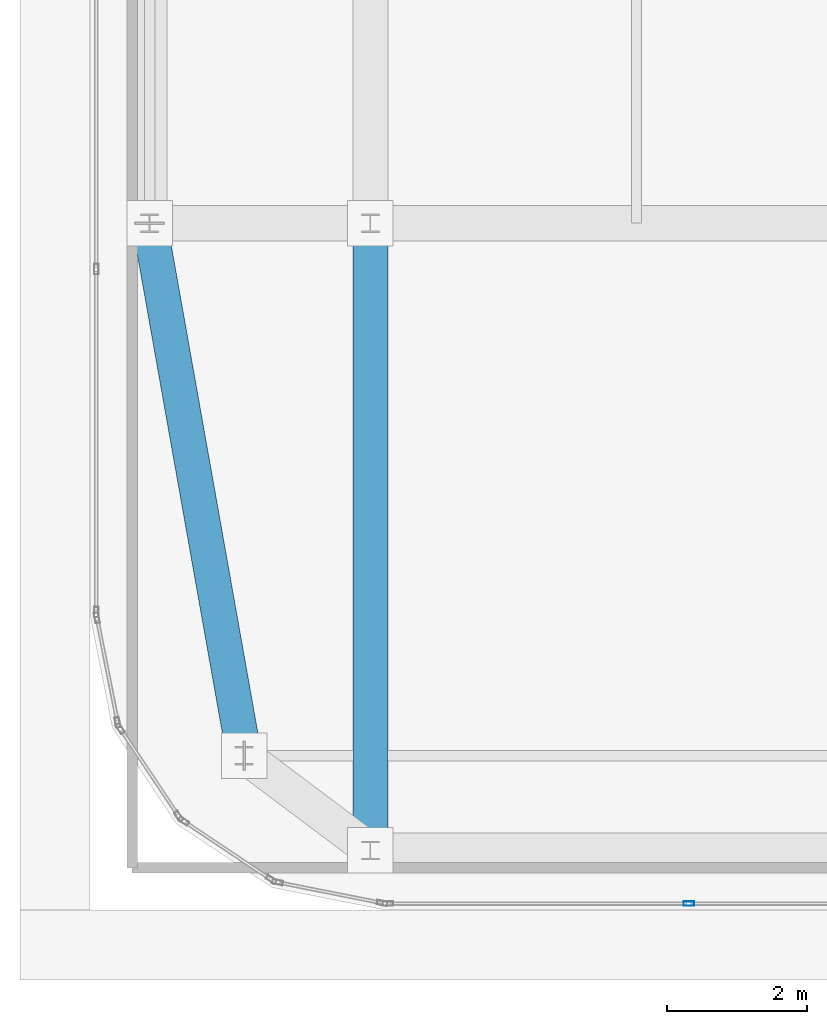
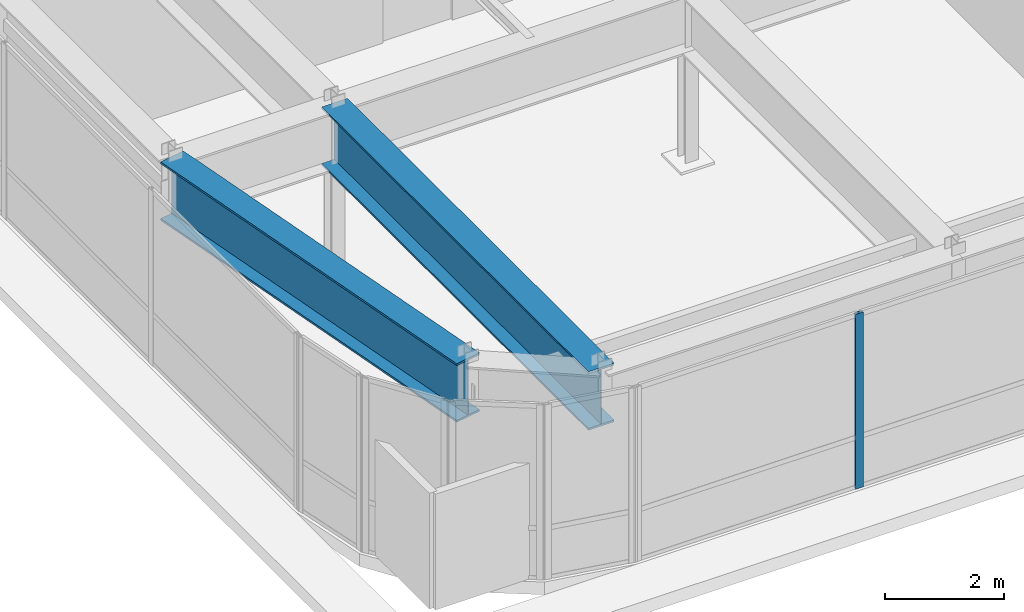
# One storey, part 6 of 35: 2 beams, 1 member, 1 element without a shape of its own.
"""IFC4 building model written with IfcOpenShell, lengths in metres."""

from ifc_helpers import new_model, si_unit, direction, frame, origin, origin_2d, place, context, subcontext, project, spatial, hollow_rectangle, i_section, extrude, source, transform, mapped, material, layer, layer_set, material_profile, profile_set, type_object, type_shapes, element, aggregate, save


model = new_model("IFC4")

# Units and contexts
model_context = context("Model", 3, precision=1e-05, world=origin(), true_north=direction((0.0, 1.0)))
body_context = subcontext(model_context, "Body", "Model", "MODEL_VIEW")
ifc_project = project(units=[si_unit("LENGTHUNIT", "METRE"), si_unit("AREAUNIT", "SQUARE_METRE"), si_unit("VOLUMEUNIT", "CUBIC_METRE"), si_unit("PLANEANGLEUNIT", "RADIAN"), si_unit("MASSUNIT", "GRAM", prefix="KILO")], contexts=[model_context])

# Site, building, storey
site_placement = place(None, origin())
site = spatial("IfcSite", under=ifc_project, at=site_placement, CompositionType="ELEMENT")
building_placement = place(site_placement, origin())
building = spatial("IfcBuilding", under=site, at=building_placement, Name="Tolvann Quenvar Hotel", CompositionType="ELEMENT")
storey_placement = place(building_placement, frame((0.0, 0.0, 290.949951171875)))
storey = spatial("IfcBuildingStorey", under=building, at=storey_placement, Name="L77", CompositionType="ELEMENT", Elevation=290.949951171875)

# Beams
ifc_material_1 = material(Name="Steel Grade 350", Category="steel")
ifc_material_profile_1 = material_profile(ifc_material_1, i_section(OverallWidth=0.5, OverallDepth=1.199951171875, WebThickness=0.01611328125, FlangeThickness=0.0400390625, at=origin_2d()), Name="1200WB455")
ifc_profile_set_1 = profile_set([ifc_material_profile_1], Name="Steel Grade 350")
beam_type = type_object("IfcBeamType", Name="BM_TG_1200WB455", PredefinedType="USERDEFINED", material=ifc_profile_set_1)
shared_shape_1 = source(origin(), body_context, "Body", "SweptSolid", [
    extrude(i_section(OverallWidth=0.5, OverallDepth=1.199951171875, WebThickness=0.01611328125, FlangeThickness=0.0400390625, at=origin_2d()), origin(), (0.0, 0.0, 1.0), 8.949951171875),
])
beam_1_placement = place(storey_placement, frame((7.60009765625, 7.050048828125, 2.97998046875), z_axis=(0.0, 1.0, 0.0), x_axis=(-1.0, 0.0, 0.0)))
element("IfcBeam", 1, at=beam_1_placement, inside=storey, type_object=beam_type, Name="BM-L77-NS-C2-C4", ObjectType="TRANSFER GIRDER", PredefinedType="USERDEFINED", context=body_context, shape_type="MappedRepresentation", body=[
    mapped(shared_shape_1, transform((0.0, 0.0, 0.0), x_axis=(1.0, 0.0, 0.0), y_axis=(0.0, 1.0, 0.0), z_axis=(0.0, 0.0, 1.0), scale=1.0)),
])
shared_shape_2 = source(origin(), body_context, "Body", "SweptSolid", [
    extrude(i_section(OverallWidth=0.5, OverallDepth=1.199951171875, WebThickness=0.01611328125, FlangeThickness=0.0400390625, at=origin_2d()), origin(), (0.0, 0.0, 1.0), 7.718994140625),
])
type_shapes(beam_type, [shared_shape_1, shared_shape_2])
beam_2_placement = place(storey_placement, frame((5.800048828125, 8.39990234375, 2.97998046875), z_axis=(-0.174903883222, 0.984585512606, 0.0), x_axis=(-0.984585512606, -0.174903883222, 0.0)))
element("IfcBeam", 2, at=beam_2_placement, inside=storey, type_object=beam_type, Name="BM-L77-NS-B2-B4", ObjectType="TRANSFER GIRDER", PredefinedType="USERDEFINED", context=body_context, shape_type="MappedRepresentation", body=[
    mapped(shared_shape_2, transform((0.0, 0.0, 0.0), x_axis=(1.0, 0.0, 0.0), y_axis=(0.0, 1.0, 0.0), z_axis=(0.0, 0.0, 1.0), scale=1.0)),
])

# Curtain wall, member
ifc_material_2 = material(Name="Thermally broken anodised architectural aluminium 6063-T6 and laminated low-E glass", Category="aluminium")
ifc_layer = layer(ifc_material_2, 0.179931640625)
ifc_layer_set = layer_set([ifc_layer], Name="Thermally broken anodised architectural aluminium 6063-T6 and laminated low-E glass")
curtain_wall_type = type_object("IfcCurtainWallType", Name="CW_SYS_LANT_06", PredefinedType="USERDEFINED", material=ifc_layer_set)
curtain_wall_placement = place(storey_placement, origin())
curtain_wall = element("IfcCurtainWall", 3, at=curtain_wall_placement, inside=storey, type_object=curtain_wall_type, Name="Curtain Wall CW-LANT-06 (CWR-L77-E04)", ObjectType="UNITISED CURTAIN WALL", PredefinedType="USERDEFINED")
ifc_material_3 = material(Name="Anodised architectural aluminium 6063-T6 framing", Category="aluminium")
ifc_material_profile_2 = material_profile(ifc_material_3, hollow_rectangle(XDim=0.06494140625, YDim=0.14990234375, WallThickness=0.00390625, at=origin_2d()), Name="150x65x4RHS")
ifc_profile_set_2 = profile_set([ifc_material_profile_2], Name="Anodised architectural aluminium 6063-T6 framing")
member_type = type_object("IfcMemberType", Name="CW_MULL_150x65", PredefinedType="MULLION", material=ifc_profile_set_2)
shared_shape_3 = source(origin(), body_context, "Body", "SweptSolid", [
    extrude(hollow_rectangle(XDim=0.06494140625, YDim=0.14990234375, WallThickness=0.00390625, at=origin_2d()), origin(), (0.0, 0.0, 1.0), 3.580078125),
])
type_shapes(member_type, [shared_shape_3])
member_placement = place(storey_placement, frame((12.144775390625, 6.2900390625, 0.0), z_axis=(0.0, 0.0, 1.0), x_axis=(0.0, 1.0, 0.0)))
member = element("IfcMember", 4, at=member_placement, type_object=member_type, Name="CW-LANT-06 mullion 2", PredefinedType="MULLION", context=body_context, shape_type="MappedRepresentation", body=[
    mapped(shared_shape_3, transform((0.0, 0.0, 0.0), x_axis=(1.0, 0.0, 0.0), y_axis=(0.0, 1.0, 0.0), z_axis=(0.0, 0.0, 1.0), scale=1.0)),
])
aggregate(curtain_wall, [member])

save(model, "model.ifc")
